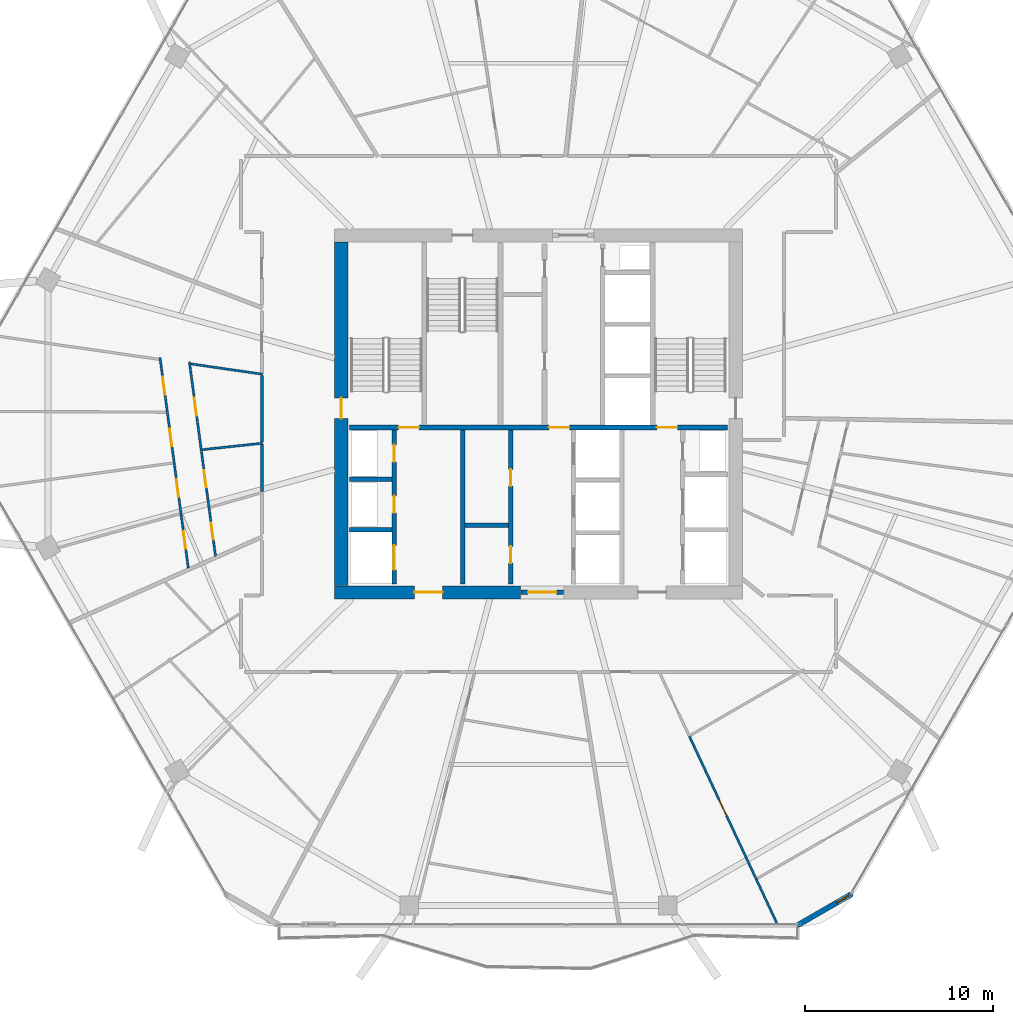
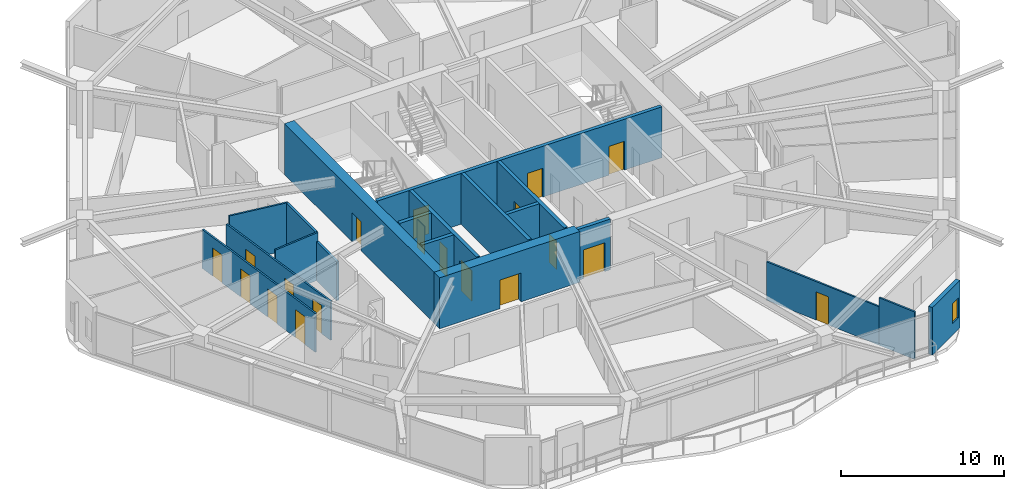
# One storey, part 20 of 27: 19 doors, 19 walls, 1 window, 20 openings.
"""IFC4 building model written with IfcOpenShell, lengths in metres."""

import ifcopenshell
import ifcopenshell.guid

model = None  # the IFC model being written
_history = None  # IfcOwnerHistory: only IFC2X3 demands one
_inside = {}  # id of a spatial element -> (the spatial element, [elements in it])
_under = {}  # id of a project, library or spatial element -> (it, [spatial elements below it])
_declared = {}  # id of a project -> (the project, [libraries it declares])
_typed = {}  # id of a type object -> (the type object, [elements of that type])
_made_of = {}  # id of a material, layer set ... -> (it, [elements and type objects made of it])


def new_model(schema):
    """Start an empty IFC model of exactly this schema.

    Asked for "IFC4X3", IfcOpenShell would pick the latest addendum, in which some entities
    have other attributes; the version numbers below select the first issue.
    IFC2X3 requires an IfcOwnerHistory on every rooted entity: one is made here for all.
    """
    global model, _history
    if schema == "IFC4X3":
        model = ifcopenshell.file(schema_version=(4, 3, 0, 0))
    else:
        model = ifcopenshell.file(schema=schema)
    _inside.clear()
    _under.clear()
    _declared.clear()
    _typed.clear()
    _made_of.clear()
    _history = None
    if model.schema == "IFC2X3":
        org = make("IfcOrganization", Name="unknown")
        user = make(
            "IfcPersonAndOrganization",
            ThePerson=make("IfcPerson", FamilyName="unknown"),
            TheOrganization=org,
        )
        app = make(
            "IfcApplication",
            ApplicationDeveloper=org,
            Version="unknown",
            ApplicationFullName="unknown",
            ApplicationIdentifier="unknown",
        )
        _history = make(
            "IfcOwnerHistory",
            OwningUser=user,
            OwningApplication=app,
            ChangeAction="ADDED",
            CreationDate=0,
        )
    return model


def make(cls, **values):
    """One entity of the class cls with the attributes given. An attribute that is None is left unset."""
    return model.create_entity(
        cls, **{name: value for name, value in values.items() if value is not None}
    )


def rooted(cls, **values):
    """An entity with a GlobalId (a new one), such as an element, a storey or a relation."""
    return make(cls, GlobalId=ifcopenshell.guid.new(), OwnerHistory=_history, **values)


def si_unit(unit_type, name, prefix=None):
    """IfcSIUnit, for example si_unit("LENGTHUNIT", "METRE", prefix="MILLI")."""
    return make("IfcSIUnit", UnitType=unit_type, Prefix=prefix, Name=name)


def assignment(units):
    """IfcUnitAssignment: the units of a project."""
    return None if units is None else make("IfcUnitAssignment", Units=units)


def point(xyz):
    """IfcCartesianPoint."""
    return None if xyz is None else make("IfcCartesianPoint", Coordinates=xyz)


def direction(xyz):
    """IfcDirection."""
    return None if xyz is None else make("IfcDirection", DirectionRatios=xyz)


def frame(location, z_axis=None, x_axis=None):
    """IfcAxis2Placement3D, a coordinate frame: its origin and axes. An axis left out is left unset."""
    return make(
        "IfcAxis2Placement3D",
        Location=point(location),
        Axis=direction(z_axis),
        RefDirection=direction(x_axis),
    )


def frame_2d(location, x_axis=None):
    """IfcAxis2Placement2D, a coordinate frame in the plane: its origin and x axis."""
    return make(
        "IfcAxis2Placement2D", Location=point(location), RefDirection=direction(x_axis)
    )


def origin():
    """The frame at (0, 0, 0) with its axes left unset."""
    return frame((0.0, 0.0, 0.0))


def place(relative_to, where):
    """IfcLocalPlacement: puts the frame where relative to a parent placement (None: the world)."""
    return make(
        "IfcLocalPlacement", PlacementRelTo=relative_to, RelativePlacement=where
    )


def context(
    kind, dimensions, precision=None, world=None, true_north=None, identifier=None
):
    """IfcGeometricRepresentationContext, for example the 3D "Model" context."""
    return make(
        "IfcGeometricRepresentationContext",
        ContextIdentifier=identifier,
        ContextType=kind,
        CoordinateSpaceDimension=dimensions,
        Precision=precision,
        WorldCoordinateSystem=world,
        TrueNorth=true_north,
    )


def subcontext(parent, identifier, kind, view, scale=None):
    """IfcGeometricRepresentationSubContext, for example "Body" below "Model"."""
    return make(
        "IfcGeometricRepresentationSubContext",
        ContextIdentifier=identifier,
        ContextType=kind,
        ParentContext=parent,
        TargetScale=scale,
        TargetView=view,
    )


def project(units=None, contexts=None):
    """IfcProject with its units and contexts."""
    return rooted(
        "IfcProject",
        Name="project",
        RepresentationContexts=contexts,
        UnitsInContext=assignment(units),
    )


def spatial(cls, under=None, at=None, **own):
    """A site, building, storey or space (cls), placed at a placement, below another one or the project."""
    s = rooted(cls, ObjectPlacement=at, **own)
    if under is not None:
        _under.setdefault(under.id(), (under, []))[1].append(s)
    return s


def profile(cls, at=None, kind="AREA", **sizes):
    """A parametric profile (cls). Its sizes go by their IFC names, for example OverallWidth=200.0."""
    return make(cls, ProfileType=kind, Position=at, **sizes)


def rectangle(**sizes):
    """IfcRectangleProfileDef."""
    return profile("IfcRectangleProfileDef", **sizes)


def extrude(swept, where, along, depth):
    """IfcExtrudedAreaSolid: the profile swept, set in the frame where, extruded along a direction by depth."""
    return make(
        "IfcExtrudedAreaSolid",
        SweptArea=swept,
        Position=where,
        ExtrudedDirection=direction(along),
        Depth=depth,
    )


def shape(context_of_items, identifier, shape_type, items):
    """IfcShapeRepresentation: the items that make up one representation, for example the "Body"."""
    return make(
        "IfcShapeRepresentation",
        ContextOfItems=context_of_items,
        RepresentationIdentifier=identifier,
        RepresentationType=shape_type,
        Items=items,
    )


def material(Name=None, Category=None):
    """IfcMaterial."""
    return make("IfcMaterial", Name=Name, Category=Category)


def layer(
    of_material, thickness, ventilated=None, Name=None, Category=None, Priority=None
):
    """IfcMaterialLayer: one layer of a wall or slab, of a material (None: an air gap)."""
    return make(
        "IfcMaterialLayer",
        Material=of_material,
        LayerThickness=thickness,
        IsVentilated=ventilated,
        Name=Name,
        Category=Category,
        Priority=Priority,
    )


def layer_set(layers, Name=None):
    """IfcMaterialLayerSet."""
    return make("IfcMaterialLayerSet", MaterialLayers=layers, LayerSetName=Name)


def made_of(thing, what):
    """Note that an element or type object is made of a material, layer set ...; save() writes the relation."""
    if what is not None:
        _made_of.setdefault(what.id(), (what, []))[1].append(thing)
    return thing


def type_object(cls, material=None, **own):
    """A type object (cls), such as IfcWallType, which elements share."""
    return made_of(rooted(cls, **own), material)


def element(
    cls,
    number,
    at=None,
    inside=None,
    cuts=None,
    type_object=None,
    material=None,
    context=None,
    identifier="Body",
    shape_type=None,
    held_by="IfcProductDefinitionShape",
    body=None,
    shapes=None,
    **own,
):
    """One element of the class cls, such as IfcWall. Its Tag is "e" and its number.

    at: its placement. inside: the storey or other place that contains it. cuts: it is an
    opening in that element (IfcRelVoidsElement). A single representation is given by context,
    identifier, shape_type and body (its items); several are given by shapes. held_by: the class
    of the entity that holds the representations. save() writes the other relations.
    """
    e = rooted(cls, Tag="e%d" % number, ObjectPlacement=at, **own)
    if body is not None:
        shapes = [shape(context, identifier, shape_type, body)]
    if shapes is not None:
        e.Representation = make(held_by, Representations=shapes)
    if inside is not None:
        _inside.setdefault(inside.id(), (inside, []))[1].append(e)
    if cuts is not None:
        rooted(
            "IfcRelVoidsElement", RelatingBuildingElement=cuts, RelatedOpeningElement=e
        )
    if type_object is not None:
        _typed.setdefault(type_object.id(), (type_object, []))[1].append(e)
    return made_of(e, material)


def fill(opening, filler):
    """IfcRelFillsElement: the door or window that sits in an opening."""
    return rooted(
        "IfcRelFillsElement",
        RelatingOpeningElement=opening,
        RelatedBuildingElement=filler,
    )


def aggregate(whole, parts):
    """IfcRelAggregates: a whole, such as a stair, and the parts it consists of."""
    return rooted("IfcRelAggregates", RelatingObject=whole, RelatedObjects=parts)


def save(model, path):
    """Write the relations noted so far, then the file.

    IfcRelAggregates (storeys below a building ...), IfcRelContainedInSpatialStructure (elements
    in a storey), IfcRelDefinesByType, IfcRelAssociatesMaterial and IfcRelDeclares: one each for
    every whole, place, type object, material and project.
    """
    for whole, parts in _under.values():
        aggregate(whole, parts)
    for where, things in _inside.values():
        rooted(
            "IfcRelContainedInSpatialStructure",
            RelatedElements=things,
            RelatingStructure=where,
        )
    for kind, things in _typed.values():
        rooted("IfcRelDefinesByType", RelatedObjects=things, RelatingType=kind)
    for what, things in _made_of.values():
        rooted("IfcRelAssociatesMaterial", RelatedObjects=things, RelatingMaterial=what)
    for by, libraries in _declared.values():
        rooted("IfcRelDeclares", RelatingContext=by, RelatedDefinitions=libraries)
    model.write(path)


model = new_model("IFC4")

# Units and contexts
model_context = context("Model", 3, precision=1e-05, world=origin(), true_north=direction((0.0, 1.0)))
body_context = subcontext(model_context, "Body", "Model", "MODEL_VIEW")
ifc_project = project(units=[si_unit("LENGTHUNIT", "METRE"), si_unit("AREAUNIT", "SQUARE_METRE"), si_unit("VOLUMEUNIT", "CUBIC_METRE"), si_unit("PLANEANGLEUNIT", "RADIAN"), si_unit("MASSUNIT", "GRAM", prefix="KILO")], contexts=[model_context])

# Site, building, storey
site_placement = place(None, origin())
site = spatial("IfcSite", under=ifc_project, at=site_placement, CompositionType="ELEMENT")
building_placement = place(site_placement, origin())
building = spatial("IfcBuilding", under=site, at=building_placement, Name="Zuhravey Tower", CompositionType="ELEMENT")
storey_placement = place(building_placement, frame((0.0, 0.0, 173.199951171875)))
storey = spatial("IfcBuildingStorey", under=building, at=storey_placement, Name="L43", CompositionType="ELEMENT", Elevation=173.199951171875)

# Wall, opening, door
ifc_material_1 = material(Name="Concrete C60/75", Category="concrete")
ifc_layer_1 = layer(ifc_material_1, 0.699951171875)
ifc_layer_set_1 = layer_set([ifc_layer_1], Name="Concrete C60/75")
wall_type_1 = type_object("IfcWallType", Name="Core Shear Wall 700", PredefinedType="SHEAR", material=ifc_layer_set_1)
wall_1_placement = place(storey_placement, frame((25.14990234375, 22.5, 0.0), z_axis=(0.0, 0.0, 1.0), x_axis=(1.0, 0.0, 0.0)))
wall_1 = element("IfcWall", 1, at=wall_1_placement, inside=storey, type_object=wall_type_1, Name="L43 South-West Core Shear Wall CW70", PredefinedType="SHEAR", context=body_context, shape_type="SweptSolid", body=[
    extrude(rectangle(XDim=9.900146484375, YDim=0.699951171875, at=frame_2d((4.9501953125, 0.0))), origin(), (0.0, 0.0, 1.0), 3.800048828125),
])
opening_1_placement = place(wall_1_placement, frame((4.25, 0.0, 0.0)))
opening_1 = element("IfcOpeningElement", 2, at=opening_1_placement, cuts=wall_1, Name="Opening FFD1", PredefinedType="OPENING", context=body_context, shape_type="SweptSolid", body=[
    extrude(rectangle(XDim=1.5, YDim=2.14990234375, at=frame_2d((0.75, 1.074951171875))), frame((0.0, 0.362060546875, 0.0), z_axis=(0.0, -1.0, 0.0), x_axis=(1.0, 0.0, 0.0)), (0.0, 0.0, 1.0), 0.723876953125),
])
ifc_material_2 = material(Name="Galvanised fire-rated steel leaf", Category="steel")
door_type_1 = type_object("IfcDoorType", Name="Firefighting Lobby Double Door 1500x2150", OperationType="DOUBLE_DOOR_SINGLE_SWING", PredefinedType="DOOR", material=ifc_material_2)
door_1_placement = place(opening_1_placement, origin())
door_1 = element("IfcDoor", 3, at=door_1_placement, inside=storey, type_object=door_type_1, Name="L43 Firefighting Lobby West Door", OperationType="DOUBLE_DOOR_SINGLE_SWING", OverallHeight=2.14990234375, OverallWidth=1.5, PredefinedType="DOOR", context=body_context, shape_type="SweptSolid", body=[
    extrude(rectangle(XDim=1.5, YDim=2.14990234375, at=frame_2d((0.75, 1.074951171875))), frame((0.0, 0.02490234375, 0.0), z_axis=(0.0, -1.0, 0.0), x_axis=(1.0, 0.0, 0.0)), (0.0, 0.0, 1.0), 0.050048828125),
])
fill(opening_1, door_1)

wall_2_placement = place(storey_placement, frame((25.5, 22.85009765625, 0.0), z_axis=(0.0, 0.0, 1.0), x_axis=(0.0, 1.0, 0.0)))
wall_2 = element("IfcWall", 4, at=wall_2_placement, inside=storey, type_object=wall_type_1, Name="L43 West Core Shear Wall CW70", PredefinedType="SHEAR", context=body_context, shape_type="SweptSolid", body=[
    extrude(rectangle(XDim=18.2998046875, YDim=0.699951171875, at=frame_2d((9.14990234375, 0.0))), origin(), (0.0, 0.0, 1.0), 3.800048828125),
])
opening_2_placement = place(wall_2_placement, frame((8.89990234375, 0.0, 0.0)))
opening_2 = element("IfcOpeningElement", 5, at=opening_2_placement, cuts=wall_2, Name="Opening STD1", PredefinedType="OPENING", context=body_context, shape_type="SweptSolid", body=[
    extrude(rectangle(XDim=1.10009765625, YDim=2.14990234375, at=frame_2d((0.550048828125, 1.074951171875))), frame((0.0, 0.362060546875, 0.0), z_axis=(0.0, -1.0, 0.0), x_axis=(1.0, 0.0, 0.0)), (0.0, 0.0, 1.0), 0.723876953125),
])
door_type_2 = type_object("IfcDoorType", Name="Protected Stair Fire Door 1100x2150", OperationType="NOTDEFINED", PredefinedType="USERDEFINED", material=ifc_material_2)
door_2_placement = place(opening_2_placement, frame((1.10009765625, 0.0, 0.0), z_axis=(0.0, 0.0, 1.0), x_axis=(-1.0, 0.0, 0.0)))
door_2 = element("IfcDoor", 6, at=door_2_placement, inside=storey, type_object=door_type_2, Name="L43 Stair ST1 Door", ObjectType="EXITDOOR", OperationType="SINGLE_SWING_RIGHT", OverallHeight=2.14990234375, OverallWidth=1.10009765625, PredefinedType="USERDEFINED", context=body_context, shape_type="SweptSolid", body=[
    extrude(rectangle(XDim=1.10009765625, YDim=2.14990234375, at=frame_2d((0.550048828125, 1.074951171875))), frame((0.0, 0.02490234375, 0.0), z_axis=(0.0, -1.0, 0.0), x_axis=(1.0, 0.0, 0.0)), (0.0, 0.0, 1.0), 0.050048828125),
])
fill(opening_2, door_2)

# Walls
ifc_material_3 = material(Name="Gypsum fire-rated stud partition")
ifc_layer_2 = layer(ifc_material_3, 0.159912109375)
ifc_layer_set_2 = layer_set([ifc_layer_2], Name="Gypsum fire-rated stud partition")
wall_type_2 = type_object("IfcWallType", Name="Corridor Fire Partition 160", PredefinedType="PARTITIONING", material=ifc_layer_set_2)
wall_3_placement = place(storey_placement, frame((21.27001953125, 34.048583984375, 0.0), z_axis=(0.0, 0.0, 1.0), x_axis=(0.0, -1.0, 0.0)))
element("IfcWall", 7, at=wall_3_placement, inside=storey, type_object=wall_type_2, Name="L43 IW16 Partition 111", PredefinedType="PARTITIONING", context=body_context, shape_type="SweptSolid", body=[
    extrude(rectangle(XDim=3.548095703125, YDim=0.159912109375, at=frame_2d((1.77392578125, 0.0))), origin(), (0.0, 0.0, 1.0), 3.550048828125),
])
wall_4_placement = place(storey_placement, frame((21.27001953125, 30.36376953125, 0.0), z_axis=(0.0, 0.0, 1.0), x_axis=(0.0, -1.0, 0.0)))
element("IfcWall", 8, at=wall_4_placement, inside=storey, type_object=wall_type_2, Name="L43 IW16 Partition 112", PredefinedType="PARTITIONING", context=body_context, shape_type="SweptSolid", body=[
    extrude(rectangle(XDim=2.488037109375, YDim=0.159912109375, at=frame_2d((1.244140625, 0.0))), origin(), (0.0, 0.0, 1.0), 2.900146484375),
])

# Wall, opening, window
ifc_material_4 = material(Name="Precast concrete C40/50", Category="concrete")
ifc_layer_3 = layer(ifc_material_4, 0.280029296875)
ifc_layer_set_3 = layer_set([ifc_layer_3], Name="Precast concrete C40/50")
wall_type_3 = type_object("IfcWallType", Name="Crown Architectural Wall 280", PredefinedType="SOLIDWALL", material=ifc_layer_set_3)
wall_5_placement = place(storey_placement, frame((52.693115234375, 6.451904296875, 0.0), z_axis=(0.0, 0.0, 1.0), x_axis=(-0.866020068361, -0.500009241111, 0.0)))
wall_5 = element("IfcWall", 9, at=wall_5_placement, inside=storey, type_object=wall_type_3, Name="L43 Rounded Corner Closure Wall EW28-02", PredefinedType="SOLIDWALL", context=body_context, shape_type="SweptSolid", body=[
    extrude(rectangle(XDim=3.365234375, YDim=0.280029296875, at=frame_2d((1.6826171875, 0.0))), origin(), (0.0, 0.0, 1.0), 3.550048828125),
])
opening_3_placement = place(wall_5_placement, frame((0.17919921875, 0.0, 0.85009765625)))
opening_3 = element("IfcOpeningElement", 10, at=opening_3_placement, cuts=wall_5, Name="Opening WN5", PredefinedType="OPENING", context=body_context, shape_type="SweptSolid", body=[
    extrude(rectangle(XDim=0.75, YDim=1.5, at=frame_2d((0.375, 0.75))), frame((0.0, 0.152099609375, 0.0), z_axis=(0.0, -1.0, 0.0), x_axis=(1.0, 0.0, 0.0)), (0.0, 0.0, 1.0), 0.303955078125),
])
ifc_material_5 = material(Name="Thermally broken aluminium and triple low-E glass", Category="aluminium")
window_type = type_object("IfcWindowType", Name="Residential Corner Casement Window 750x1500", PartitioningType="SINGLE_PANEL", PredefinedType="WINDOW", material=ifc_material_5)
window_placement = place(opening_3_placement, origin())
window = element("IfcWindow", 11, at=window_placement, inside=storey, type_object=window_type, Name="L43 Corner Casement Window WN5-02.1", OverallHeight=1.5, OverallWidth=0.75, PartitioningType="SINGLE_PANEL", PredefinedType="WINDOW", context=body_context, shape_type="SweptSolid", body=[
    extrude(rectangle(XDim=0.75, YDim=1.5, at=frame_2d((0.375, 0.75))), frame((0.0, 0.030029296875, 0.0), z_axis=(0.0, -1.0, 0.0), x_axis=(1.0, 0.0, 0.0)), (0.0, 0.0, 1.0), 0.06005859375),
])
fill(opening_3, window)

# Wall, opening, door
ifc_material_6 = material(Name="Concrete C50/60", Category="concrete")
ifc_layer_4 = layer(ifc_material_6, 0.25)
ifc_layer_set_4 = layer_set([ifc_layer_4], Name="Concrete C50/60")
wall_type_4 = type_object("IfcWallType", Name="Firefighting Shaft & Stair Wall 250", PredefinedType="SOLIDWALL", material=ifc_layer_set_4)
wall_6_placement = place(storey_placement, frame((35.06005859375, 22.5, 0.0), z_axis=(0.0, 0.0, 1.0), x_axis=(1.0, 0.0, 0.0)))
wall_6 = element("IfcWall", 12, at=wall_6_placement, inside=storey, type_object=wall_type_4, Name="L43 FW25 Shaft Wall 001", PredefinedType="SOLIDWALL", context=body_context, shape_type="SweptSolid", body=[
    extrude(rectangle(XDim=2.280029296875, YDim=0.25, at=frame_2d((1.14013671875, 0.0))), origin(), (0.0, 0.0, 1.0), 3.800048828125),
])
opening_4_placement = place(wall_6_placement, frame((0.389892578125, 0.0, 0.0)))
opening_4 = element("IfcOpeningElement", 13, at=opening_4_placement, cuts=wall_6, Name="Opening FFD1", PredefinedType="OPENING", context=body_context, shape_type="SweptSolid", body=[
    extrude(rectangle(XDim=1.5, YDim=2.14990234375, at=frame_2d((0.75, 1.074951171875))), frame((0.0, 0.136962890625, 0.0), z_axis=(0.0, -1.0, 0.0), x_axis=(1.0, 0.0, 0.0)), (0.0, 0.0, 1.0), 0.27392578125),
])
door_3_placement = place(opening_4_placement, frame((1.5, 0.0, 0.0), z_axis=(0.0, 0.0, 1.0), x_axis=(-1.0, 0.0, 0.0)))
door_3 = element("IfcDoor", 14, at=door_3_placement, inside=storey, type_object=door_type_1, Name="L43 South Lift Lobby Exit Door", OperationType="DOUBLE_DOOR_SINGLE_SWING", OverallHeight=2.14990234375, OverallWidth=1.5, PredefinedType="DOOR", context=body_context, shape_type="SweptSolid", body=[
    extrude(rectangle(XDim=1.5, YDim=2.14990234375, at=frame_2d((0.75, 1.074951171875))), frame((0.0, 0.02490234375, 0.0), z_axis=(0.0, -1.0, 0.0), x_axis=(1.0, 0.0, 0.0)), (0.0, 0.0, 1.0), 0.050048828125),
])
fill(opening_4, door_3)

# Wall, openings, doors
wall_7_placement = place(storey_placement, frame((25.949951171875, 31.27490234375, 0.0), z_axis=(0.0, 0.0, 1.0), x_axis=(1.0, 0.0, 0.0)))
wall_7 = element("IfcWall", 15, at=wall_7_placement, inside=storey, type_object=wall_type_4, Name="L43 FW25 Shaft Wall 003", PredefinedType="SOLIDWALL", context=body_context, shape_type="SweptSolid", body=[
    extrude(rectangle(XDim=20.10009765625, YDim=0.25, at=frame_2d((10.050048828125, 0.0))), origin(), (0.0, 0.0, 1.0), 3.800048828125),
])
opening_5_placement = place(wall_7_placement, frame((2.60009765625, 0.0, 0.0)))
opening_5 = element("IfcOpeningElement", 16, at=opening_5_placement, cuts=wall_7, Name="Opening STD1", PredefinedType="OPENING", context=body_context, shape_type="SweptSolid", body=[
    extrude(rectangle(XDim=1.10009765625, YDim=2.14990234375, at=frame_2d((0.550048828125, 1.074951171875))), frame((0.0, 0.136962890625, 0.0), z_axis=(0.0, -1.0, 0.0), x_axis=(1.0, 0.0, 0.0)), (0.0, 0.0, 1.0), 0.27392578125),
])
opening_6_placement = place(wall_7_placement, frame((10.60009765625, 0.0, 0.0)))
opening_6 = element("IfcOpeningElement", 17, at=opening_6_placement, cuts=wall_7, Name="Opening STD1", PredefinedType="OPENING", context=body_context, shape_type="SweptSolid", body=[
    extrude(rectangle(XDim=1.10009765625, YDim=2.14990234375, at=frame_2d((0.550048828125, 1.074951171875))), frame((0.0, 0.136962890625, 0.0), z_axis=(0.0, -1.0, 0.0), x_axis=(1.0, 0.0, 0.0)), (0.0, 0.0, 1.0), 0.27392578125),
])
opening_7_placement = place(wall_7_placement, frame((16.35009765625, 0.0, 0.0)))
opening_7 = element("IfcOpeningElement", 18, at=opening_7_placement, cuts=wall_7, Name="Opening STD1", PredefinedType="OPENING", context=body_context, shape_type="SweptSolid", body=[
    extrude(rectangle(XDim=1.10009765625, YDim=2.14990234375, at=frame_2d((0.550048828125, 1.074951171875))), frame((0.0, 0.136962890625, 0.0), z_axis=(0.0, -1.0, 0.0), x_axis=(1.0, 0.0, 0.0)), (0.0, 0.0, 1.0), 0.27392578125),
])
door_4_placement = place(opening_5_placement, origin())
door_4 = element("IfcDoor", 19, at=door_4_placement, inside=storey, type_object=door_type_2, Name="L43 FFL-W to ST1 Door", ObjectType="EXITDOOR", OperationType="SINGLE_SWING_LEFT", OverallHeight=2.14990234375, OverallWidth=1.10009765625, PredefinedType="USERDEFINED", context=body_context, shape_type="SweptSolid", body=[
    extrude(rectangle(XDim=1.10009765625, YDim=2.14990234375, at=frame_2d((0.550048828125, 1.074951171875))), frame((0.0, 0.02490234375, 0.0), z_axis=(0.0, -1.0, 0.0), x_axis=(1.0, 0.0, 0.0)), (0.0, 0.0, 1.0), 0.050048828125),
])
fill(opening_5, door_4)
door_5_placement = place(opening_6_placement, origin())
door_5 = element("IfcDoor", 20, at=door_5_placement, inside=storey, type_object=door_type_2, Name="L43 Core Lobby Link Door", ObjectType="EXITDOOR", OperationType="SINGLE_SWING_RIGHT", OverallHeight=2.14990234375, OverallWidth=1.10009765625, PredefinedType="USERDEFINED", context=body_context, shape_type="SweptSolid", body=[
    extrude(rectangle(XDim=1.10009765625, YDim=2.14990234375, at=frame_2d((0.550048828125, 1.074951171875))), frame((0.0, 0.02490234375, 0.0), z_axis=(0.0, -1.0, 0.0), x_axis=(1.0, 0.0, 0.0)), (0.0, 0.0, 1.0), 0.050048828125),
])
fill(opening_6, door_5)
door_6_placement = place(opening_7_placement, origin())
door_6 = element("IfcDoor", 21, at=door_6_placement, inside=storey, type_object=door_type_2, Name="L43 FFL-E to ST2 Door", ObjectType="EXITDOOR", OperationType="SINGLE_SWING_LEFT", OverallHeight=2.14990234375, OverallWidth=1.10009765625, PredefinedType="USERDEFINED", context=body_context, shape_type="SweptSolid", body=[
    extrude(rectangle(XDim=1.10009765625, YDim=2.14990234375, at=frame_2d((0.550048828125, 1.074951171875))), frame((0.0, 0.02490234375, 0.0), z_axis=(0.0, -1.0, 0.0), x_axis=(1.0, 0.0, 0.0)), (0.0, 0.0, 1.0), 0.050048828125),
])
fill(opening_7, door_6)

# Walls
for number, where, z_axis, x_axis, name in (
    (22, (25.949951171875, 25.824951171875, 0.0), (0.0, 0.0, 1.0), (1.0, 0.0, 0.0), "L43 FW25 Shaft Wall 009"),
    (23, (25.949951171875, 28.52490234375, 0.0), (0.0, 0.0, 1.0), (1.0, 0.0, 0.0), "L43 FW25 Shaft Wall 010"),
):
    element("IfcWall", number, at=place(storey_placement, frame(where, z_axis=z_axis, x_axis=x_axis)), inside=storey, type_object=wall_type_4, Name=name, PredefinedType="SOLIDWALL", context=body_context, shape_type="SweptSolid", body=[
        extrude(rectangle(XDim=2.25, YDim=0.25, at=frame_2d((1.125, 0.0))), origin(), (0.0, 0.0, 1.0), 3.800048828125),
    ])

# Wall, openings, doors
wall_8_placement = place(storey_placement, frame((28.324951171875, 22.949951171875, 0.0), z_axis=(0.0, 0.0, 1.0), x_axis=(0.0, 1.0, 0.0)))
wall_8 = element("IfcWall", 24, at=wall_8_placement, inside=storey, type_object=wall_type_4, Name="L43 FW25 Shaft Wall 011", PredefinedType="SOLIDWALL", context=body_context, shape_type="SweptSolid", body=[
    extrude(rectangle(XDim=8.199951171875, YDim=0.25, at=frame_2d((4.10009765625, 0.0))), origin(), (0.0, 0.0, 1.0), 3.800048828125),
])
opening_8_placement = place(wall_8_placement, frame((0.75, 0.0, 0.0)))
opening_8 = element("IfcOpeningElement", 25, at=opening_8_placement, cuts=wall_8, Name="Opening LD2", PredefinedType="OPENING", context=body_context, shape_type="SweptSolid", body=[
    extrude(rectangle(XDim=1.300048828125, YDim=2.300048828125, at=frame_2d((0.64990234375, 1.14990234375))), frame((0.0, 0.136962890625, 0.0), z_axis=(0.0, -1.0, 0.0), x_axis=(1.0, 0.0, 0.0)), (0.0, 0.0, 1.0), 0.27392578125),
])
opening_9_placement = place(wall_8_placement, frame((3.780029296875, 0.0, 0.0)))
opening_9 = element("IfcOpeningElement", 26, at=opening_9_placement, cuts=wall_8, Name="Opening RSD1", PredefinedType="OPENING", context=body_context, shape_type="SweptSolid", body=[
    extrude(rectangle(XDim=0.89990234375, YDim=2.10009765625, at=frame_2d((0.449951171875, 1.050048828125))), frame((0.0, 0.136962890625, 0.0), z_axis=(0.0, -1.0, 0.0), x_axis=(1.0, 0.0, 0.0)), (0.0, 0.0, 1.0), 0.27392578125),
])
opening_10_placement = place(wall_8_placement, frame((6.5, 0.0, 0.0)))
opening_10 = element("IfcOpeningElement", 27, at=opening_10_placement, cuts=wall_8, Name="Opening RSD1", PredefinedType="OPENING", context=body_context, shape_type="SweptSolid", body=[
    extrude(rectangle(XDim=0.89990234375, YDim=2.10009765625, at=frame_2d((0.449951171875, 1.050048828125))), frame((0.0, 0.136962890625, 0.0), z_axis=(0.0, -1.0, 0.0), x_axis=(1.0, 0.0, 0.0)), (0.0, 0.0, 1.0), 0.27392578125),
])
ifc_material_7 = material(Name="Brushed stainless steel", Category="steel")
door_type_3 = type_object("IfcDoorType", Name="Freight & Stretcher Lift Sliding Door 1300x2300", OperationType="DOUBLE_DOOR_SLIDING", PredefinedType="DOOR", material=ifc_material_7)
door_7_placement = place(opening_8_placement, frame((1.300048828125, 0.0, 0.0), z_axis=(0.0, 0.0, 1.0), x_axis=(-1.0, 0.0, 0.0)))
door_7 = element("IfcDoor", 28, at=door_7_placement, inside=storey, type_object=door_type_3, Name="L43 Lift FF1 Landing Door", OperationType="DOUBLE_DOOR_SLIDING", OverallHeight=2.300048828125, OverallWidth=1.300048828125, PredefinedType="DOOR", context=body_context, shape_type="SweptSolid", body=[
    extrude(rectangle(XDim=1.300048828125, YDim=2.300048828125, at=frame_2d((0.64990234375, 1.14990234375))), frame((0.0, 0.02490234375, 0.0), z_axis=(0.0, -1.0, 0.0), x_axis=(1.0, 0.0, 0.0)), (0.0, 0.0, 1.0), 0.050048828125),
])
fill(opening_8, door_7)
ifc_material_8 = material(Name="Galvanised fire-rated steel access leaf", Category="steel")
door_type_4 = type_object("IfcDoorType", Name="Riser & Shaft Access Fire Door 900x2100", OperationType="NOTDEFINED", PredefinedType="DOOR", material=ifc_material_8)
door_8_placement = place(opening_9_placement, frame((0.89990234375, 0.0, 0.0), z_axis=(0.0, 0.0, 1.0), x_axis=(-1.0, 0.0, 0.0)))
door_8 = element("IfcDoor", 29, at=door_8_placement, inside=storey, type_object=door_type_4, Name="L43 Electrical Riser Door", OperationType="SINGLE_SWING_LEFT", OverallHeight=2.10009765625, OverallWidth=0.89990234375, PredefinedType="DOOR", context=body_context, shape_type="SweptSolid", body=[
    extrude(rectangle(XDim=0.89990234375, YDim=2.10009765625, at=frame_2d((0.449951171875, 1.050048828125))), frame((0.0, 0.02490234375, 0.0), z_axis=(0.0, -1.0, 0.0), x_axis=(1.0, 0.0, 0.0)), (0.0, 0.0, 1.0), 0.050048828125),
])
fill(opening_9, door_8)
door_9_placement = place(opening_10_placement, frame((0.89990234375, 0.0, 0.0), z_axis=(0.0, 0.0, 1.0), x_axis=(-1.0, 0.0, 0.0)))
door_9 = element("IfcDoor", 30, at=door_9_placement, inside=storey, type_object=door_type_4, Name="L43 Smoke Shaft Access Door", OperationType="SINGLE_SWING_RIGHT", OverallHeight=2.10009765625, OverallWidth=0.89990234375, PredefinedType="DOOR", context=body_context, shape_type="SweptSolid", body=[
    extrude(rectangle(XDim=0.89990234375, YDim=2.10009765625, at=frame_2d((0.449951171875, 1.050048828125))), frame((0.0, 0.02490234375, 0.0), z_axis=(0.0, -1.0, 0.0), x_axis=(1.0, 0.0, 0.0)), (0.0, 0.0, 1.0), 0.050048828125),
])
fill(opening_10, door_9)

# Walls
wall_9_placement = place(storey_placement, frame((31.97509765625, 22.949951171875, 0.0), z_axis=(0.0, 0.0, 1.0), x_axis=(0.0, 1.0, 0.0)))
element("IfcWall", 31, at=wall_9_placement, inside=storey, type_object=wall_type_4, Name="L43 FW25 Shaft Wall 012", PredefinedType="SOLIDWALL", context=body_context, shape_type="SweptSolid", body=[
    extrude(rectangle(XDim=8.199951171875, YDim=0.25, at=frame_2d((4.10009765625, 0.0))), origin(), (0.0, 0.0, 1.0), 3.800048828125),
])
wall_10_placement = place(storey_placement, frame((32.10009765625, 26.074951171875, 0.0), z_axis=(0.0, 0.0, 1.0), x_axis=(1.0, 0.0, 0.0)))
element("IfcWall", 32, at=wall_10_placement, inside=storey, type_object=wall_type_4, Name="L43 FW25 Shaft Wall 013", PredefinedType="SOLIDWALL", context=body_context, shape_type="SweptSolid", body=[
    extrude(rectangle(XDim=2.2998046875, YDim=0.25, at=frame_2d((1.14990234375, 0.0))), origin(), (0.0, 0.0, 1.0), 3.800048828125),
])

# Wall, openings, doors
wall_11_placement = place(storey_placement, frame((34.52490234375, 22.949951171875, 0.0), z_axis=(0.0, 0.0, 1.0), x_axis=(0.0, 1.0, 0.0)))
wall_11 = element("IfcWall", 33, at=wall_11_placement, inside=storey, type_object=wall_type_4, Name="L43 FW25 Shaft Wall 014", PredefinedType="SOLIDWALL", context=body_context, shape_type="SweptSolid", body=[
    extrude(rectangle(XDim=8.199951171875, YDim=0.25, at=frame_2d((4.10009765625, 0.0))), origin(), (0.0, 0.0, 1.0), 3.800048828125),
])
opening_11_placement = place(wall_11_placement, frame((1.10009765625, 0.0, 0.0)))
opening_11 = element("IfcOpeningElement", 34, at=opening_11_placement, cuts=wall_11, Name="Opening RSD1", PredefinedType="OPENING", context=body_context, shape_type="SweptSolid", body=[
    extrude(rectangle(XDim=0.89990234375, YDim=2.10009765625, at=frame_2d((0.449951171875, 1.050048828125))), frame((0.0, 0.136962890625, 0.0), z_axis=(0.0, -1.0, 0.0), x_axis=(1.0, 0.0, 0.0)), (0.0, 0.0, 1.0), 0.27392578125),
])
opening_12_placement = place(wall_11_placement, frame((5.199951171875, 0.0, 0.0)))
opening_12 = element("IfcOpeningElement", 35, at=opening_12_placement, cuts=wall_11, Name="Opening RSD1", PredefinedType="OPENING", context=body_context, shape_type="SweptSolid", body=[
    extrude(rectangle(XDim=0.89990234375, YDim=2.10009765625, at=frame_2d((0.449951171875, 1.050048828125))), frame((0.0, 0.136962890625, 0.0), z_axis=(0.0, -1.0, 0.0), x_axis=(1.0, 0.0, 0.0)), (0.0, 0.0, 1.0), 0.27392578125),
])
door_10_placement = place(opening_11_placement, origin())
door_10 = element("IfcDoor", 36, at=door_10_placement, inside=storey, type_object=door_type_4, Name="L43 Metering Room Door", OperationType="SINGLE_SWING_LEFT", OverallHeight=2.10009765625, OverallWidth=0.89990234375, PredefinedType="DOOR", context=body_context, shape_type="SweptSolid", body=[
    extrude(rectangle(XDim=0.89990234375, YDim=2.10009765625, at=frame_2d((0.449951171875, 1.050048828125))), frame((0.0, 0.02490234375, 0.0), z_axis=(0.0, -1.0, 0.0), x_axis=(1.0, 0.0, 0.0)), (0.0, 0.0, 1.0), 0.050048828125),
])
fill(opening_11, door_10)
door_11_placement = place(opening_12_placement, origin())
door_11 = element("IfcDoor", 37, at=door_11_placement, inside=storey, type_object=door_type_4, Name="L43 Housekeeping Supply Door", OperationType="SINGLE_SWING_RIGHT", OverallHeight=2.10009765625, OverallWidth=0.89990234375, PredefinedType="DOOR", context=body_context, shape_type="SweptSolid", body=[
    extrude(rectangle(XDim=0.89990234375, YDim=2.10009765625, at=frame_2d((0.449951171875, 1.050048828125))), frame((0.0, 0.02490234375, 0.0), z_axis=(0.0, -1.0, 0.0), x_axis=(1.0, 0.0, 0.0)), (0.0, 0.0, 1.0), 0.050048828125),
])
fill(opening_12, door_11)

ifc_material_9 = material(Name="Gypsum metal-stud partition")
ifc_layer_5 = layer(ifc_material_9, 0.1201171875)
ifc_layer_set_5 = layer_set([ifc_layer_5], Name="Gypsum metal-stud partition")
wall_type_5 = type_object("IfcWallType", Name="Unit Internal Partition 120", PredefinedType="PARTITIONING", material=ifc_layer_set_5)
wall_12_placement = place(storey_placement, frame((17.417724609375, 34.772216796875, 0.0), z_axis=(0.0, 0.0, 1.0), x_axis=(0.133300793384, -0.991075627025, 0.0)))
wall_12 = element("IfcWall", 38, at=wall_12_placement, inside=storey, type_object=wall_type_5, Name="L43 IW12 Partition 035", PredefinedType="PARTITIONING", context=body_context, shape_type="SweptSolid", body=[
    extrude(rectangle(XDim=10.44873046875, YDim=0.1201171875, at=frame_2d((5.224365234375, 0.0))), origin(), (0.0, 0.0, 1.0), 2.900146484375),
])
opening_13_placement = place(wall_12_placement, frame((1.939697265625, 0.0, 0.0)))
opening_13 = element("IfcOpeningElement", 39, at=opening_13_placement, cuts=wall_12, Name="Opening IND1", PredefinedType="OPENING", context=body_context, shape_type="SweptSolid", body=[
    extrude(rectangle(XDim=0.949951171875, YDim=2.10009765625, at=frame_2d((0.47509765625, 1.050048828125))), frame((0.0, 0.072021484375, 0.0), z_axis=(0.0, -1.0, 0.0), x_axis=(1.0, 0.0, 0.0)), (0.0, 0.0, 1.0), 0.14404296875),
])
opening_14_placement = place(wall_12_placement, frame((5.830810546875, 0.0, 0.0)))
opening_14 = element("IfcOpeningElement", 40, at=opening_14_placement, cuts=wall_12, Name="Opening WCD1", PredefinedType="OPENING", context=body_context, shape_type="SweptSolid", body=[
    extrude(rectangle(XDim=0.89990234375, YDim=2.10009765625, at=frame_2d((0.449951171875, 1.050048828125))), frame((0.0, 0.072021484375, 0.0), z_axis=(0.0, -1.0, 0.0), x_axis=(1.0, 0.0, 0.0)), (0.0, 0.0, 1.0), 0.14404296875),
])
opening_15_placement = place(wall_12_placement, frame((8.64013671875, 0.0, 0.0)))
opening_15 = element("IfcOpeningElement", 41, at=opening_15_placement, cuts=wall_12, Name="Opening WCD1", PredefinedType="OPENING", context=body_context, shape_type="SweptSolid", body=[
    extrude(rectangle(XDim=0.89990234375, YDim=2.10009765625, at=frame_2d((0.449951171875, 1.050048828125))), frame((0.0, 0.072021484375, 0.0), z_axis=(0.0, -1.0, 0.0), x_axis=(1.0, 0.0, 0.0)), (0.0, 0.0, 1.0), 0.14404296875),
])
ifc_material_10 = material(Name="Moisture-resistant timber leaf", Category="wood")
door_type_5 = type_object("IfcDoorType", Name="Bathroom & WC Internal Door 900x2100", OperationType="NOTDEFINED", PredefinedType="DOOR", material=ifc_material_10)
door_12_placement = place(opening_14_placement, origin())
door_12 = element("IfcDoor", 42, at=door_12_placement, inside=storey, type_object=door_type_5, Name="Apartment L43-04 Bathroom 1 Door", OperationType="SINGLE_SWING_LEFT", OverallHeight=2.10009765625, OverallWidth=0.89990234375, PredefinedType="DOOR", context=body_context, shape_type="SweptSolid", body=[
    extrude(rectangle(XDim=0.89990234375, YDim=2.10009765625, at=frame_2d((0.449951171875, 1.050048828125))), frame((0.0, 0.02490234375, 0.0), z_axis=(0.0, -1.0, 0.0), x_axis=(1.0, 0.0, 0.0)), (0.0, 0.0, 1.0), 0.050048828125),
])
fill(opening_14, door_12)
door_13_placement = place(opening_15_placement, origin())
door_13 = element("IfcDoor", 43, at=door_13_placement, inside=storey, type_object=door_type_5, Name="Apartment L43-04 Bathroom 2 Door", OperationType="SINGLE_SWING_RIGHT", OverallHeight=2.10009765625, OverallWidth=0.89990234375, PredefinedType="DOOR", context=body_context, shape_type="SweptSolid", body=[
    extrude(rectangle(XDim=0.89990234375, YDim=2.10009765625, at=frame_2d((0.449951171875, 1.050048828125))), frame((0.0, 0.02490234375, 0.0), z_axis=(0.0, -1.0, 0.0), x_axis=(1.0, 0.0, 0.0)), (0.0, 0.0, 1.0), 0.050048828125),
])
fill(opening_15, door_13)
ifc_material_11 = material(Name="Painted engineered timber leaf", Category="wood")
door_type_6 = type_object("IfcDoorType", Name="Internal Room & Bedroom Door 950x2100", OperationType="NOTDEFINED", PredefinedType="DOOR", material=ifc_material_11)
door_14_placement = place(opening_13_placement, origin())
door_14 = element("IfcDoor", 44, at=door_14_placement, inside=storey, type_object=door_type_6, Name="Apartment L43-04 Kitchen Door", OperationType="SINGLE_SWING_RIGHT", OverallHeight=2.10009765625, OverallWidth=0.949951171875, PredefinedType="DOOR", context=body_context, shape_type="SweptSolid", body=[
    extrude(rectangle(XDim=0.949951171875, YDim=2.10009765625, at=frame_2d((0.47509765625, 1.050048828125))), frame((0.0, 0.02490234375, 0.0), z_axis=(0.0, -1.0, 0.0), x_axis=(1.0, 0.0, 0.0)), (0.0, 0.0, 1.0), 0.050048828125),
])
fill(opening_13, door_14)

wall_13_placement = place(storey_placement, frame((15.85400390625, 34.9970703125, 0.0), z_axis=(0.0, 0.0, 1.0), x_axis=(0.133279106394, -0.991078543708, 0.0)))
wall_13 = element("IfcWall", 45, at=wall_13_placement, inside=storey, type_object=wall_type_5, Name="L43 IW12 Partition 036", PredefinedType="PARTITIONING", context=body_context, shape_type="SweptSolid", body=[
    extrude(rectangle(XDim=11.311279296875, YDim=0.1201171875, at=frame_2d((5.65576171875, 0.0))), origin(), (0.0, 0.0, 1.0), 2.900146484375),
])
opening_16_placement = place(wall_13_placement, frame((1.041748046875, 0.0, 0.0)))
opening_16 = element("IfcOpeningElement", 46, at=opening_16_placement, cuts=wall_13, Name="Opening IND1", PredefinedType="OPENING", context=body_context, shape_type="SweptSolid", body=[
    extrude(rectangle(XDim=0.949951171875, YDim=2.10009765625, at=frame_2d((0.47509765625, 1.050048828125))), frame((0.0, 0.072021484375, 0.0), z_axis=(0.0, -1.0, 0.0), x_axis=(1.0, 0.0, 0.0)), (0.0, 0.0, 1.0), 0.14404296875),
])
opening_17_placement = place(wall_13_placement, frame((3.819091796875, 0.0, 0.0)))
opening_17 = element("IfcOpeningElement", 47, at=opening_17_placement, cuts=wall_13, Name="Opening IND1", PredefinedType="OPENING", context=body_context, shape_type="SweptSolid", body=[
    extrude(rectangle(XDim=0.949951171875, YDim=2.10009765625, at=frame_2d((0.47509765625, 1.050048828125))), frame((0.0, 0.072021484375, 0.0), z_axis=(0.0, -1.0, 0.0), x_axis=(1.0, 0.0, 0.0)), (0.0, 0.0, 1.0), 0.14404296875),
])
opening_18_placement = place(wall_13_placement, frame((6.5419921875, 0.0, 0.0)))
opening_18 = element("IfcOpeningElement", 48, at=opening_18_placement, cuts=wall_13, Name="Opening IND1", PredefinedType="OPENING", context=body_context, shape_type="SweptSolid", body=[
    extrude(rectangle(XDim=0.949951171875, YDim=2.10009765625, at=frame_2d((0.47509765625, 1.050048828125))), frame((0.0, 0.072021484375, 0.0), z_axis=(0.0, -1.0, 0.0), x_axis=(1.0, 0.0, 0.0)), (0.0, 0.0, 1.0), 0.14404296875),
])
opening_19_placement = place(wall_13_placement, frame((9.319580078125, 0.0, 0.0)))
opening_19 = element("IfcOpeningElement", 49, at=opening_19_placement, cuts=wall_13, Name="Opening IND1", PredefinedType="OPENING", context=body_context, shape_type="SweptSolid", body=[
    extrude(rectangle(XDim=0.949951171875, YDim=2.10009765625, at=frame_2d((0.47509765625, 1.050048828125))), frame((0.0, 0.072021484375, 0.0), z_axis=(0.0, -1.0, 0.0), x_axis=(1.0, 0.0, 0.0)), (0.0, 0.0, 1.0), 0.14404296875),
])
door_15_placement = place(opening_16_placement, frame((0.949951171875, 0.0, 0.0), z_axis=(0.0, 0.0, 1.0), x_axis=(-1.0, 0.0, 0.0)))
door_15 = element("IfcDoor", 50, at=door_15_placement, inside=storey, type_object=door_type_6, Name="Apartment L43-04 Bedroom 1 Door", OperationType="SINGLE_SWING_LEFT", OverallHeight=2.10009765625, OverallWidth=0.949951171875, PredefinedType="DOOR", context=body_context, shape_type="SweptSolid", body=[
    extrude(rectangle(XDim=0.949951171875, YDim=2.10009765625, at=frame_2d((0.47509765625, 1.050048828125))), frame((0.0, 0.02490234375, 0.0), z_axis=(0.0, -1.0, 0.0), x_axis=(1.0, 0.0, 0.0)), (0.0, 0.0, 1.0), 0.050048828125),
])
fill(opening_16, door_15)
door_16_placement = place(opening_17_placement, frame((0.949951171875, 0.0, 0.0), z_axis=(0.0, 0.0, 1.0), x_axis=(-1.0, 0.0, 0.0)))
door_16 = element("IfcDoor", 51, at=door_16_placement, inside=storey, type_object=door_type_6, Name="Apartment L43-04 Bedroom 2 Door", OperationType="SINGLE_SWING_RIGHT", OverallHeight=2.10009765625, OverallWidth=0.949951171875, PredefinedType="DOOR", context=body_context, shape_type="SweptSolid", body=[
    extrude(rectangle(XDim=0.949951171875, YDim=2.10009765625, at=frame_2d((0.47509765625, 1.050048828125))), frame((0.0, 0.02490234375, 0.0), z_axis=(0.0, -1.0, 0.0), x_axis=(1.0, 0.0, 0.0)), (0.0, 0.0, 1.0), 0.050048828125),
])
fill(opening_17, door_16)
door_17_placement = place(opening_18_placement, frame((0.949951171875, 0.0, 0.0), z_axis=(0.0, 0.0, 1.0), x_axis=(-1.0, 0.0, 0.0)))
door_17 = element("IfcDoor", 52, at=door_17_placement, inside=storey, type_object=door_type_6, Name="Apartment L43-04 Bedroom 3 Door", OperationType="SINGLE_SWING_LEFT", OverallHeight=2.10009765625, OverallWidth=0.949951171875, PredefinedType="DOOR", context=body_context, shape_type="SweptSolid", body=[
    extrude(rectangle(XDim=0.949951171875, YDim=2.10009765625, at=frame_2d((0.47509765625, 1.050048828125))), frame((0.0, 0.02490234375, 0.0), z_axis=(0.0, -1.0, 0.0), x_axis=(1.0, 0.0, 0.0)), (0.0, 0.0, 1.0), 0.050048828125),
])
fill(opening_18, door_17)
door_18_placement = place(opening_19_placement, frame((0.949951171875, 0.0, 0.0), z_axis=(0.0, 0.0, 1.0), x_axis=(-1.0, 0.0, 0.0)))
door_18 = element("IfcDoor", 53, at=door_18_placement, inside=storey, type_object=door_type_6, Name="Apartment L43-04 Bedroom 4 Door", OperationType="SINGLE_SWING_RIGHT", OverallHeight=2.10009765625, OverallWidth=0.949951171875, PredefinedType="DOOR", context=body_context, shape_type="SweptSolid", body=[
    extrude(rectangle(XDim=0.949951171875, YDim=2.10009765625, at=frame_2d((0.47509765625, 1.050048828125))), frame((0.0, 0.02490234375, 0.0), z_axis=(0.0, -1.0, 0.0), x_axis=(1.0, 0.0, 0.0)), (0.0, 0.0, 1.0), 0.050048828125),
])
fill(opening_19, door_18)

# Wall, opening, door
wall_14_placement = place(storey_placement, frame((44.035888671875, 14.82958984375, 0.0), z_axis=(0.0, 0.0, 1.0), x_axis=(0.423895538652, -0.905711086556, 0.0)))
wall_14 = element("IfcWall", 54, at=wall_14_placement, inside=storey, type_object=wall_type_5, Name="L43 IW12 Partition 048", PredefinedType="PARTITIONING", context=body_context, shape_type="SweptSolid", body=[
    extrude(rectangle(XDim=8.413330078125, YDim=0.1201171875, at=frame_2d((4.20654296875, 0.0))), origin(), (0.0, 0.0, 1.0), 2.8701171875),
])
opening_20_placement = place(wall_14_placement, frame((3.706787109375, 0.0, 0.0)))
opening_20 = element("IfcOpeningElement", 55, at=opening_20_placement, cuts=wall_14, Name="Opening IND1", PredefinedType="OPENING", context=body_context, shape_type="SweptSolid", body=[
    extrude(rectangle(XDim=0.949951171875, YDim=2.10009765625, at=frame_2d((0.47509765625, 1.050048828125))), frame((0.0, 0.072021484375, 0.0), z_axis=(0.0, -1.0, 0.0), x_axis=(1.0, 0.0, 0.0)), (0.0, 0.0, 1.0), 0.14404296875),
])
door_19_placement = place(opening_20_placement, origin())
door_19 = element("IfcDoor", 56, at=door_19_placement, inside=storey, type_object=door_type_6, Name="Apartment L43-07 Home Office Door", OperationType="SINGLE_SWING_RIGHT", OverallHeight=2.10009765625, OverallWidth=0.949951171875, PredefinedType="DOOR", context=body_context, shape_type="SweptSolid", body=[
    extrude(rectangle(XDim=0.949951171875, YDim=2.10009765625, at=frame_2d((0.47509765625, 1.050048828125))), frame((0.0, 0.02490234375, 0.0), z_axis=(0.0, -1.0, 0.0), x_axis=(1.0, 0.0, 0.0)), (0.0, 0.0, 1.0), 0.050048828125),
])
fill(opening_20, door_19)

# Walls
wall_15_placement = place(storey_placement, frame((21.320068359375, 30.4375, 0.0), z_axis=(0.0, 0.0, 1.0), x_axis=(-0.994376869396, -0.105899204953, 0.0)))
element("IfcWall", 57, at=wall_15_placement, inside=storey, type_object=wall_type_5, Name="L43 IW12 Partition 074", PredefinedType="PARTITIONING", context=body_context, shape_type="SweptSolid", body=[
    extrude(rectangle(XDim=3.222900390625, YDim=0.1201171875, at=frame_2d((1.611328125, 0.0))), origin(), (0.0, 0.0, 1.0), 3.550048828125),
])
wall_16_placement = place(storey_placement, frame((21.320068359375, 34.110107421875, 0.0), z_axis=(0.0, 0.0, 1.0), x_axis=(-0.989818700467, 0.142333903923, 0.0)))
element("IfcWall", 58, at=wall_16_placement, inside=storey, type_object=wall_type_5, Name="L43 IW12 Partition 079", PredefinedType="PARTITIONING", context=body_context, shape_type="SweptSolid", body=[
    extrude(rectangle(XDim=3.857666015625, YDim=0.1201171875, at=frame_2d((1.9287109375, 0.0))), origin(), (0.0, 0.0, 1.0), 3.550048828125),
])
wall_17_placement = place(storey_placement, frame((47.602294921875, 7.20947265625, 0.0), z_axis=(0.0, 0.0, 1.0), x_axis=(0.423895034456, -0.905711322532, 0.0)))
element("IfcWall", 59, at=wall_17_placement, inside=storey, type_object=wall_type_5, Name="L43 IW12 Partition 093", PredefinedType="PARTITIONING", context=body_context, shape_type="SweptSolid", body=[
    extrude(rectangle(XDim=2.64697265625, YDim=0.1201171875, at=frame_2d((1.323486328125, 0.0))), origin(), (0.0, 0.0, 1.0), 3.550048828125),
])

save(model, "model.ifc")
